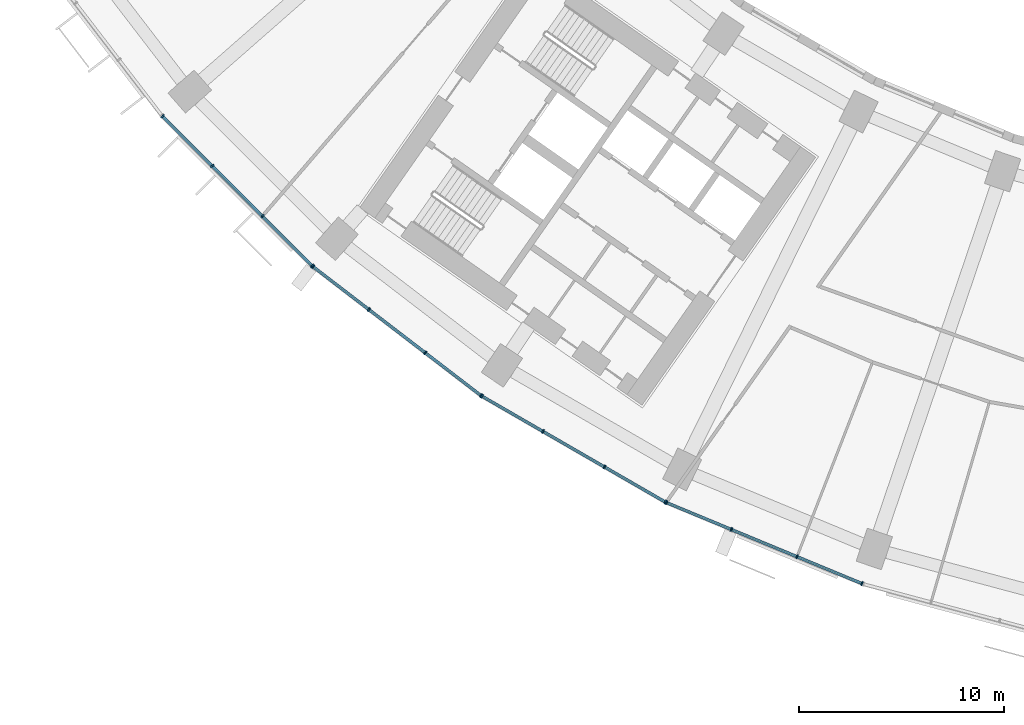
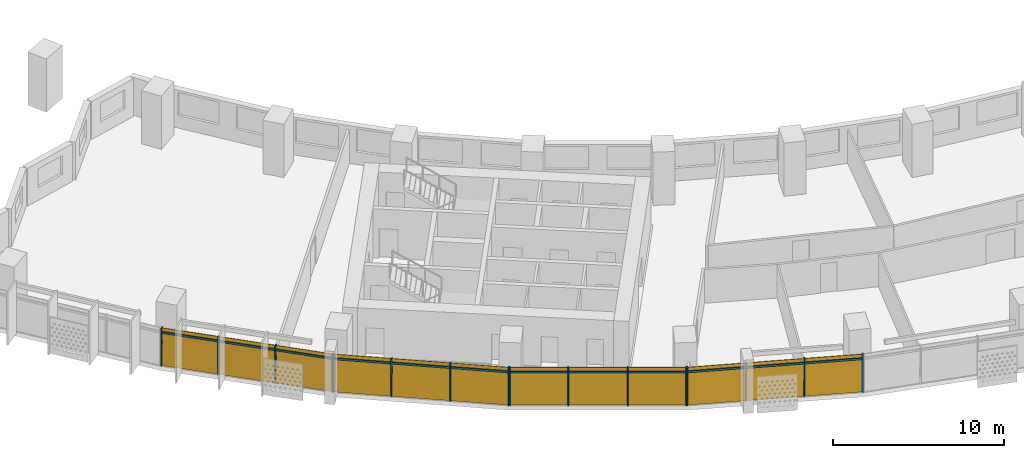
# One storey, part 18 of 31: 28 members, 4 curtain walls.
"""IFC4 building model written with IfcOpenShell, lengths in metres."""

from ifc_helpers import new_model, si_unit, direction, frame, origin, origin_2d, place, context, subcontext, project, spatial, rectangle, extrude, material, material_profile, profile_set, type_object, element, aggregate, save


model = new_model("IFC4")

# Units and contexts
model_context = context("Model", 3, precision=1e-05, world=origin(), true_north=direction((0.0, 1.0)))
body_context = subcontext(model_context, "Body", "Model", "MODEL_VIEW")
ifc_project = project(units=[si_unit("LENGTHUNIT", "METRE"), si_unit("AREAUNIT", "SQUARE_METRE"), si_unit("VOLUMEUNIT", "CUBIC_METRE"), si_unit("PLANEANGLEUNIT", "RADIAN"), si_unit("MASSUNIT", "GRAM", prefix="KILO")], contexts=[model_context])

# Member
ifc_material = material(Name="Aluminium 6063-T6 anodised", Category="aluminium")
ifc_material_profile_1 = material_profile(ifc_material, rectangle(XDim=0.199951171875, YDim=0.070068359375, at=origin_2d()))
ifc_profile_set_1 = profile_set([ifc_material_profile_1], Name="Aluminium 6063-T6 anodised")
member_type_1 = type_object("IfcMemberType", Name="Mullion 70 x 200 aluminium", PredefinedType="MULLION", material=ifc_profile_set_1)
site_placement = place(None, origin())
building_placement = place(site_placement, origin())
storey_placement = place(building_placement, frame((0.0, 0.0, 82.300048828125)))
member_1_placement = place(storey_placement, frame((-59.78857421875, -52.470947265625, 0.0), z_axis=(0.0, 0.0, 1.0), x_axis=(0.707106781187, 0.707106781187, 0.0)))
member_1 = element("IfcMember", 1, at=member_1_placement, type_object=member_type_1, Name="e-cw1-L17-out02/M00", PredefinedType="MULLION", context=body_context, shape_type="SweptSolid", body=[
    extrude(rectangle(XDim=0.199951171875, YDim=0.070068359375, at=origin_2d()), origin(), (0.0, 0.0, 1.0), 2.699951171875),
])

member_2_placement = place(storey_placement, frame((-57.357666015625, -54.90185546875, 0.0), z_axis=(0.0, 0.0, 1.0), x_axis=(0.707106781187, 0.707106781187, 0.0)))
member_2 = element("IfcMember", 2, at=member_2_placement, type_object=member_type_1, Name="e-cw1-L17-out02/M01", PredefinedType="MULLION", context=body_context, shape_type="SweptSolid", body=[
    extrude(rectangle(XDim=0.199951171875, YDim=0.070068359375, at=origin_2d()), origin(), (0.0, 0.0, 1.0), 2.699951171875),
])

member_3_placement = place(storey_placement, frame((-54.90185546875, -57.357666015625, 0.0), z_axis=(0.0, 0.0, 1.0), x_axis=(0.707106781187, 0.707106781187, 0.0)))
member_3 = element("IfcMember", 3, at=member_3_placement, type_object=member_type_1, Name="e-cw1-L17-out02/M02", PredefinedType="MULLION", context=body_context, shape_type="SweptSolid", body=[
    extrude(rectangle(XDim=0.199951171875, YDim=0.070068359375, at=origin_2d()), origin(), (0.0, 0.0, 1.0), 2.699951171875),
])

member_4_placement = place(storey_placement, frame((-52.470947265625, -59.78857421875, 0.0), z_axis=(0.0, 0.0, 1.0), x_axis=(0.707106781187, 0.707106781187, 0.0)))
member_4 = element("IfcMember", 4, at=member_4_placement, type_object=member_type_1, Name="e-cw1-L17-out02/M03", PredefinedType="MULLION", context=body_context, shape_type="SweptSolid", body=[
    extrude(rectangle(XDim=0.199951171875, YDim=0.070068359375, at=origin_2d()), origin(), (0.0, 0.0, 1.0), 2.699951171875),
])

member_5_placement = place(storey_placement, frame((-52.42822265625, -59.825927734375, 0.0), z_axis=(0.0, 0.0, 1.0), x_axis=(0.608761429009, 0.793353340291, 0.0)))
member_5 = element("IfcMember", 5, at=member_5_placement, type_object=member_type_1, Name="e-cw1-L17-out03/M00", PredefinedType="MULLION", context=body_context, shape_type="SweptSolid", body=[
    extrude(rectangle(XDim=0.199951171875, YDim=0.070068359375, at=origin_2d()), origin(), (0.0, 0.0, 1.0), 2.699951171875),
])

member_6_placement = place(storey_placement, frame((-49.70068359375, -61.9189453125, 0.0), z_axis=(0.0, 0.0, 1.0), x_axis=(0.608761429009, 0.793353340291, 0.0)))
member_6 = element("IfcMember", 6, at=member_6_placement, type_object=member_type_1, Name="e-cw1-L17-out03/M01", PredefinedType="MULLION", context=body_context, shape_type="SweptSolid", body=[
    extrude(rectangle(XDim=0.199951171875, YDim=0.070068359375, at=origin_2d()), origin(), (0.0, 0.0, 1.0), 2.699951171875),
])

member_7_placement = place(storey_placement, frame((-46.945556640625, -64.032958984375, 0.0), z_axis=(0.0, 0.0, 1.0), x_axis=(0.608761429009, 0.793353340291, 0.0)))
member_7 = element("IfcMember", 7, at=member_7_placement, type_object=member_type_1, Name="e-cw1-L17-out03/M02", PredefinedType="MULLION", context=body_context, shape_type="SweptSolid", body=[
    extrude(rectangle(XDim=0.199951171875, YDim=0.070068359375, at=origin_2d()), origin(), (0.0, 0.0, 1.0), 2.699951171875),
])

member_8_placement = place(storey_placement, frame((-44.218017578125, -66.1259765625, 0.0), z_axis=(0.0, 0.0, 1.0), x_axis=(0.608761429009, 0.793353340291, 0.0)))
member_8 = element("IfcMember", 8, at=member_8_placement, type_object=member_type_1, Name="e-cw1-L17-out03/M03", PredefinedType="MULLION", context=body_context, shape_type="SweptSolid", body=[
    extrude(rectangle(XDim=0.199951171875, YDim=0.070068359375, at=origin_2d()), origin(), (0.0, 0.0, 1.0), 2.699951171875),
])

member_9_placement = place(storey_placement, frame((-44.1708984375, -66.157470703125, 0.0), z_axis=(0.0, 0.0, 1.0), x_axis=(0.5, 0.866025403784, 0.0)))
member_9 = element("IfcMember", 9, at=member_9_placement, type_object=member_type_1, Name="e-cw1-L17-out04/M00", PredefinedType="MULLION", context=body_context, shape_type="SweptSolid", body=[
    extrude(rectangle(XDim=0.199951171875, YDim=0.070068359375, at=origin_2d()), origin(), (0.0, 0.0, 1.0), 2.699951171875),
])

member_10_placement = place(storey_placement, frame((-41.193603515625, -67.87646484375, 0.0), z_axis=(0.0, 0.0, 1.0), x_axis=(0.5, 0.866025403784, 0.0)))
member_10 = element("IfcMember", 10, at=member_10_placement, type_object=member_type_1, Name="e-cw1-L17-out04/M01", PredefinedType="MULLION", context=body_context, shape_type="SweptSolid", body=[
    extrude(rectangle(XDim=0.199951171875, YDim=0.070068359375, at=origin_2d()), origin(), (0.0, 0.0, 1.0), 2.699951171875),
])

member_11_placement = place(storey_placement, frame((-38.18603515625, -69.61279296875, 0.0), z_axis=(0.0, 0.0, 1.0), x_axis=(0.5, 0.866025403784, 0.0)))
member_11 = element("IfcMember", 11, at=member_11_placement, type_object=member_type_1, Name="e-cw1-L17-out04/M02", PredefinedType="MULLION", context=body_context, shape_type="SweptSolid", body=[
    extrude(rectangle(XDim=0.199951171875, YDim=0.070068359375, at=origin_2d()), origin(), (0.0, 0.0, 1.0), 2.699951171875),
])

member_12_placement = place(storey_placement, frame((-35.20849609375, -71.331787109375, 0.0), z_axis=(0.0, 0.0, 1.0), x_axis=(0.5, 0.866025403784, 0.0)))
member_12 = element("IfcMember", 12, at=member_12_placement, type_object=member_type_1, Name="e-cw1-L17-out04/M03", PredefinedType="MULLION", context=body_context, shape_type="SweptSolid", body=[
    extrude(rectangle(XDim=0.199951171875, YDim=0.070068359375, at=origin_2d()), origin(), (0.0, 0.0, 1.0), 2.699951171875),
])

member_13_placement = place(storey_placement, frame((-35.15771484375, -71.35693359375, 0.0), z_axis=(0.0, 0.0, 1.0), x_axis=(0.382683432365, 0.923879532511, 0.0)))
member_13 = element("IfcMember", 13, at=member_13_placement, type_object=member_type_1, Name="e-cw1-L17-out05/M00", PredefinedType="MULLION", context=body_context, shape_type="SweptSolid", body=[
    extrude(rectangle(XDim=0.199951171875, YDim=0.070068359375, at=origin_2d()), origin(), (0.0, 0.0, 1.0), 2.699951171875),
])

member_14_placement = place(storey_placement, frame((-31.9814453125, -72.672607421875, 0.0), z_axis=(0.0, 0.0, 1.0), x_axis=(0.382683432365, 0.923879532511, 0.0)))
member_14 = element("IfcMember", 14, at=member_14_placement, type_object=member_type_1, Name="e-cw1-L17-out05/M01", PredefinedType="MULLION", context=body_context, shape_type="SweptSolid", body=[
    extrude(rectangle(XDim=0.199951171875, YDim=0.070068359375, at=origin_2d()), origin(), (0.0, 0.0, 1.0), 2.699951171875),
])

member_15_placement = place(storey_placement, frame((-28.77294921875, -74.00146484375, 0.0), z_axis=(0.0, 0.0, 1.0), x_axis=(0.382683432365, 0.923879532511, 0.0)))
member_15 = element("IfcMember", 15, at=member_15_placement, type_object=member_type_1, Name="e-cw1-L17-out05/M02", PredefinedType="MULLION", context=body_context, shape_type="SweptSolid", body=[
    extrude(rectangle(XDim=0.199951171875, YDim=0.070068359375, at=origin_2d()), origin(), (0.0, 0.0, 1.0), 2.699951171875),
])

member_16_placement = place(storey_placement, frame((-25.5966796875, -75.317138671875, 0.0), z_axis=(0.0, 0.0, 1.0), x_axis=(0.382683432365, 0.923879532511, 0.0)))
member_16 = element("IfcMember", 16, at=member_16_placement, type_object=member_type_1, Name="e-cw1-L17-out05/M03", PredefinedType="MULLION", context=body_context, shape_type="SweptSolid", body=[
    extrude(rectangle(XDim=0.199951171875, YDim=0.070068359375, at=origin_2d()), origin(), (0.0, 0.0, 1.0), 2.699951171875),
])

ifc_material_profile_2 = material_profile(ifc_material, rectangle(XDim=0.139892578125, YDim=0.1201171875, at=origin_2d()))
ifc_profile_set_2 = profile_set([ifc_material_profile_2], Name="Aluminium 6063-T6 anodised")
member_type_2 = type_object("IfcMemberType", Name="Transom 120 x 140 aluminium", PredefinedType="USERDEFINED", material=ifc_profile_set_2)
member_17_placement = place(storey_placement, frame((-59.763916015625, -52.49560546875, 2.39990234375), z_axis=(0.707106781187, -0.707106781187, 0.0), x_axis=(0.707106781187, 0.707106781187, 0.0)))
member_17 = element("IfcMember", 17, at=member_17_placement, type_object=member_type_2, Name="e-cw1-L17-out02/T00", ObjectType="TRANSOM", PredefinedType="USERDEFINED", context=body_context, shape_type="SweptSolid", body=[
    extrude(rectangle(XDim=0.139892578125, YDim=0.1201171875, at=origin_2d()), origin(), (0.0, 0.0, 1.0), 3.3681640625),
])

member_18_placement = place(storey_placement, frame((-57.332763671875, -54.9267578125, 2.39990234375), z_axis=(0.707106781187, -0.707106781187, 0.0), x_axis=(0.707106781187, 0.707106781187, 0.0)))
member_18 = element("IfcMember", 18, at=member_18_placement, type_object=member_type_2, Name="e-cw1-L17-out02/T01", ObjectType="TRANSOM", PredefinedType="USERDEFINED", context=body_context, shape_type="SweptSolid", body=[
    extrude(rectangle(XDim=0.139892578125, YDim=0.1201171875, at=origin_2d()), origin(), (0.0, 0.0, 1.0), 3.402587890625),
])

member_19_placement = place(storey_placement, frame((-54.877197265625, -57.38232421875, 2.39990234375), z_axis=(0.707106781187, -0.707106781187, 0.0), x_axis=(0.707106781187, 0.707106781187, 0.0)))
member_19 = element("IfcMember", 19, at=member_19_placement, type_object=member_type_2, Name="e-cw1-L17-out02/T02", ObjectType="TRANSOM", PredefinedType="USERDEFINED", context=body_context, shape_type="SweptSolid", body=[
    extrude(rectangle(XDim=0.139892578125, YDim=0.1201171875, at=origin_2d()), origin(), (0.0, 0.0, 1.0), 3.3681640625),
])

member_20_placement = place(storey_placement, frame((-52.400390625, -59.847412109375, 2.39990234375), z_axis=(0.793375276742, -0.608732839803, 0.0), x_axis=(0.608732839803, 0.793375276742, 0.0)))
member_20 = element("IfcMember", 20, at=member_20_placement, type_object=member_type_2, Name="e-cw1-L17-out03/T00", ObjectType="TRANSOM", PredefinedType="USERDEFINED", context=body_context, shape_type="SweptSolid", body=[
    extrude(rectangle(XDim=0.139892578125, YDim=0.1201171875, at=origin_2d()), origin(), (0.0, 0.0, 1.0), 3.36767578125),
])

member_21_placement = place(storey_placement, frame((-49.673095703125, -61.940185546875, 2.39990234375), z_axis=(0.793356868815, -0.60875683052, 0.0), x_axis=(0.60875683052, 0.793356868815, 0.0)))
member_21 = element("IfcMember", 21, at=member_21_placement, type_object=member_type_2, Name="e-cw1-L17-out03/T01", ObjectType="TRANSOM", PredefinedType="USERDEFINED", context=body_context, shape_type="SweptSolid", body=[
    extrude(rectangle(XDim=0.139892578125, YDim=0.1201171875, at=origin_2d()), origin(), (0.0, 0.0, 1.0), 3.40283203125),
])

member_22_placement = place(storey_placement, frame((-46.917724609375, -64.054443359375, 2.39990234375), z_axis=(0.793375276742, -0.608732839803, 0.0), x_axis=(0.608732839803, 0.793375276742, 0.0)))
member_22 = element("IfcMember", 22, at=member_22_placement, type_object=member_type_2, Name="e-cw1-L17-out03/T02", ObjectType="TRANSOM", PredefinedType="USERDEFINED", context=body_context, shape_type="SweptSolid", body=[
    extrude(rectangle(XDim=0.139892578125, YDim=0.1201171875, at=origin_2d()), origin(), (0.0, 0.0, 1.0), 3.36767578125),
])

member_23_placement = place(storey_placement, frame((-44.140625, -66.175048828125, 2.39990234375), z_axis=(0.866044351828, -0.49996717959, 0.0), x_axis=(0.49996717959, 0.866044351828, 0.0)))
member_23 = element("IfcMember", 23, at=member_23_placement, type_object=member_type_2, Name="e-cw1-L17-out04/T00", ObjectType="TRANSOM", PredefinedType="USERDEFINED", context=body_context, shape_type="SweptSolid", body=[
    extrude(rectangle(XDim=0.139892578125, YDim=0.1201171875, at=origin_2d()), origin(), (0.0, 0.0, 1.0), 3.367919921875),
])

member_24_placement = place(storey_placement, frame((-41.163330078125, -67.893798828125, 2.39990234375), z_axis=(0.866000398227, -0.500043308395, 0.0), x_axis=(0.500043308395, 0.866000398227, 0.0)))
member_24 = element("IfcMember", 24, at=member_24_placement, type_object=member_type_2, Name="e-cw1-L17-out04/T01", ObjectType="TRANSOM", PredefinedType="USERDEFINED", context=body_context, shape_type="SweptSolid", body=[
    extrude(rectangle(XDim=0.139892578125, YDim=0.1201171875, at=origin_2d()), origin(), (0.0, 0.0, 1.0), 3.403076171875),
])

member_25_placement = place(storey_placement, frame((-38.155517578125, -69.63037109375, 2.39990234375), z_axis=(0.866026229868, -0.499998569178, 0.0), x_axis=(0.499998569178, 0.866026229868, 0.0)))
member_25 = element("IfcMember", 25, at=member_25_placement, type_object=member_type_2, Name="e-cw1-L17-out04/T02", ObjectType="TRANSOM", PredefinedType="USERDEFINED", context=body_context, shape_type="SweptSolid", body=[
    extrude(rectangle(XDim=0.139892578125, YDim=0.1201171875, at=origin_2d()), origin(), (0.0, 0.0, 1.0), 3.36767578125),
])

member_26_placement = place(storey_placement, frame((-35.125244140625, -71.370361328125, 2.39990234375), z_axis=(0.923872807855, -0.382699666719, 0.0), x_axis=(0.382699666719, 0.923872807855, 0.0)))
member_26 = element("IfcMember", 26, at=member_26_placement, type_object=member_type_2, Name="e-cw1-L17-out05/T00", ObjectType="TRANSOM", PredefinedType="USERDEFINED", context=body_context, shape_type="SweptSolid", body=[
    extrude(rectangle(XDim=0.139892578125, YDim=0.1201171875, at=origin_2d()), origin(), (0.0, 0.0, 1.0), 3.36767578125),
])

member_27_placement = place(storey_placement, frame((-31.94921875, -72.68603515625, 2.39990234375), z_axis=(0.92388567708, -0.382668597728, 0.0), x_axis=(0.382668597728, 0.92388567708, 0.0)))
member_27 = element("IfcMember", 27, at=member_27_placement, type_object=member_type_2, Name="e-cw1-L17-out05/T01", ObjectType="TRANSOM", PredefinedType="USERDEFINED", context=body_context, shape_type="SweptSolid", body=[
    extrude(rectangle(XDim=0.139892578125, YDim=0.1201171875, at=origin_2d()), origin(), (0.0, 0.0, 1.0), 3.403076171875),
])

member_28_placement = place(storey_placement, frame((-28.740478515625, -74.014892578125, 2.39990234375), z_axis=(0.923872807855, -0.382699666719, 0.0), x_axis=(0.382699666719, 0.923872807855, 0.0)))
member_28 = element("IfcMember", 28, at=member_28_placement, type_object=member_type_2, Name="e-cw1-L17-out05/T02", ObjectType="TRANSOM", PredefinedType="USERDEFINED", context=body_context, shape_type="SweptSolid", body=[
    extrude(rectangle(XDim=0.139892578125, YDim=0.1201171875, at=origin_2d()), origin(), (0.0, 0.0, 1.0), 3.36767578125),
])

# Site, building, storey
site = spatial("IfcSite", under=ifc_project, at=site_placement, CompositionType="ELEMENT")
building = spatial("IfcBuilding", under=site, at=building_placement, Name="Qamariyya Broadcast Tower", CompositionType="ELEMENT")
storey = spatial("IfcBuildingStorey", under=building, at=storey_placement, Name="L17", CompositionType="ELEMENT", Elevation=82.300048828125)

# Curtain wall
curtain_wall_type = type_object("IfcCurtainWallType", Name="Unitised curtain wall, anodised aluminium", PredefinedType="NOTDEFINED", material=ifc_material)
curtain_wall_1_placement = place(storey_placement, origin())
curtain_wall_1 = element("IfcCurtainWall", 29, at=curtain_wall_1_placement, inside=storey, type_object=curtain_wall_type, Name="e-cw1-L17-out02", PredefinedType="NOTDEFINED", context=body_context, shape_type="SweptSolid", body=[
    extrude(rectangle(XDim=3.367919921875, YDim=0.031982421875, at=origin_2d()), frame((-58.572998046875, -53.6865234375, 0.0), x_axis=(0.707106781187, -0.707106781187, 0.0)), (0.0, 0.0, 1.0), 2.340087890625),
    extrude(rectangle(XDim=3.367919921875, YDim=0.031982421875, at=origin_2d()), frame((-58.572998046875, -53.6865234375, 2.4599609375), x_axis=(0.707106781187, -0.707106781187, 0.0)), (0.0, 0.0, 1.0), 0.239990234375),
    extrude(rectangle(XDim=3.40283203125, YDim=0.031982421875, at=origin_2d()), frame((-56.1298828125, -56.1298828125, 0.0), x_axis=(0.707106781187, -0.707106781187, 0.0)), (0.0, 0.0, 1.0), 2.340087890625),
    extrude(rectangle(XDim=3.40283203125, YDim=0.031982421875, at=origin_2d()), frame((-56.1298828125, -56.1298828125, 2.4599609375), x_axis=(0.707106781187, -0.707106781187, 0.0)), (0.0, 0.0, 1.0), 0.239990234375),
    extrude(rectangle(XDim=3.367919921875, YDim=0.031982421875, at=origin_2d()), frame((-53.6865234375, -58.572998046875, 0.0), x_axis=(0.707106781187, -0.707106781187, 0.0)), (0.0, 0.0, 1.0), 2.340087890625),
    extrude(rectangle(XDim=3.367919921875, YDim=0.031982421875, at=origin_2d()), frame((-53.6865234375, -58.572998046875, 2.4599609375), x_axis=(0.707106781187, -0.707106781187, 0.0)), (0.0, 0.0, 1.0), 0.239990234375),
])

aggregate(curtain_wall_1, [member_1, member_2, member_3, member_4, member_17, member_18, member_19])

curtain_wall_2_placement = place(storey_placement, origin())
curtain_wall_2 = element("IfcCurtainWall", 30, at=curtain_wall_2_placement, inside=storey, type_object=curtain_wall_type, Name="e-cw1-L17-out03", PredefinedType="NOTDEFINED", context=body_context, shape_type="SweptSolid", body=[
    extrude(rectangle(XDim=3.367919921875, YDim=0.031982421875, at=origin_2d()), frame((-51.064453125, -60.872314453125, 0.0), x_axis=(0.79335775203, -0.608755679475, 0.0)), (0.0, 0.0, 1.0), 2.340087890625),
    extrude(rectangle(XDim=3.367919921875, YDim=0.031982421875, at=origin_2d()), frame((-51.064453125, -60.872314453125, 2.4599609375), x_axis=(0.79335775203, -0.608755679475, 0.0)), (0.0, 0.0, 1.0), 0.239990234375),
    extrude(rectangle(XDim=3.40283203125, YDim=0.031982421875, at=origin_2d()), frame((-48.3232421875, -62.97607421875, 0.0), x_axis=(0.79335775203, -0.608755679475, 0.0)), (0.0, 0.0, 1.0), 2.340087890625),
    extrude(rectangle(XDim=3.40283203125, YDim=0.031982421875, at=origin_2d()), frame((-48.3232421875, -62.97607421875, 2.4599609375), x_axis=(0.79335775203, -0.608755679475, 0.0)), (0.0, 0.0, 1.0), 0.239990234375),
    extrude(rectangle(XDim=3.367919921875, YDim=0.031982421875, at=origin_2d()), frame((-45.581787109375, -65.07958984375, 0.0), x_axis=(0.79335775203, -0.608755679475, 0.0)), (0.0, 0.0, 1.0), 2.340087890625),
    extrude(rectangle(XDim=3.367919921875, YDim=0.031982421875, at=origin_2d()), frame((-45.581787109375, -65.07958984375, 2.4599609375), x_axis=(0.79335775203, -0.608755679475, 0.0)), (0.0, 0.0, 1.0), 0.239990234375),
])

aggregate(curtain_wall_2, [member_5, member_6, member_7, member_8, member_20, member_21, member_22])

curtain_wall_3_placement = place(storey_placement, origin())
curtain_wall_3 = element("IfcCurtainWall", 31, at=curtain_wall_3_placement, inside=storey, type_object=curtain_wall_type, Name="e-cw1-L17-out04", PredefinedType="NOTDEFINED", context=body_context, shape_type="SweptSolid", body=[
    extrude(rectangle(XDim=3.367919921875, YDim=0.031982421875, at=origin_2d()), frame((-42.68212890625, -67.016845703125, 0.0), x_axis=(0.86602247392, -0.500005074639, 0.0)), (0.0, 0.0, 1.0), 2.340087890625),
    extrude(rectangle(XDim=3.367919921875, YDim=0.031982421875, at=origin_2d()), frame((-42.68212890625, -67.016845703125, 2.4599609375), x_axis=(0.86602247392, -0.500005074639, 0.0)), (0.0, 0.0, 1.0), 0.239990234375),
    extrude(rectangle(XDim=3.40283203125, YDim=0.031982421875, at=origin_2d()), frame((-39.689697265625, -68.74462890625, 0.0), x_axis=(0.86602247392, -0.500005074639, 0.0)), (0.0, 0.0, 1.0), 2.340087890625),
    extrude(rectangle(XDim=3.40283203125, YDim=0.031982421875, at=origin_2d()), frame((-39.689697265625, -68.74462890625, 2.4599609375), x_axis=(0.86602247392, -0.500005074639, 0.0)), (0.0, 0.0, 1.0), 0.239990234375),
    extrude(rectangle(XDim=3.367919921875, YDim=0.031982421875, at=origin_2d()), frame((-36.697265625, -70.472412109375, 0.0), x_axis=(0.86602247392, -0.500005074639, 0.0)), (0.0, 0.0, 1.0), 2.340087890625),
    extrude(rectangle(XDim=3.367919921875, YDim=0.031982421875, at=origin_2d()), frame((-36.697265625, -70.472412109375, 2.4599609375), x_axis=(0.86602247392, -0.500005074639, 0.0)), (0.0, 0.0, 1.0), 0.239990234375),
])

aggregate(curtain_wall_3, [member_9, member_10, member_11, member_12, member_23, member_24, member_25])

curtain_wall_4_placement = place(storey_placement, origin())
curtain_wall_4 = element("IfcCurtainWall", 32, at=curtain_wall_4_placement, inside=storey, type_object=curtain_wall_type, Name="e-cw1-L17-out05", PredefinedType="NOTDEFINED", context=body_context, shape_type="SweptSolid", body=[
    extrude(rectangle(XDim=3.367919921875, YDim=0.031982421875, at=origin_2d()), frame((-33.569580078125, -72.0146484375, 0.0), x_axis=(0.92387774222, -0.382687754482, 0.0)), (0.0, 0.0, 1.0), 2.340087890625),
    extrude(rectangle(XDim=3.367919921875, YDim=0.031982421875, at=origin_2d()), frame((-33.569580078125, -72.0146484375, 2.4599609375), x_axis=(0.92387774222, -0.382687754482, 0.0)), (0.0, 0.0, 1.0), 0.239990234375),
    extrude(rectangle(XDim=3.40283203125, YDim=0.031982421875, at=origin_2d()), frame((-30.377197265625, -73.3369140625, 0.0), x_axis=(0.92387774222, -0.382687754482, 0.0)), (0.0, 0.0, 1.0), 2.340087890625),
    extrude(rectangle(XDim=3.40283203125, YDim=0.031982421875, at=origin_2d()), frame((-30.377197265625, -73.3369140625, 2.4599609375), x_axis=(0.92387774222, -0.382687754482, 0.0)), (0.0, 0.0, 1.0), 0.239990234375),
    extrude(rectangle(XDim=3.367919921875, YDim=0.031982421875, at=origin_2d()), frame((-27.184814453125, -74.659423828125, 0.0), x_axis=(0.92387774222, -0.382687754482, 0.0)), (0.0, 0.0, 1.0), 2.340087890625),
    extrude(rectangle(XDim=3.367919921875, YDim=0.031982421875, at=origin_2d()), frame((-27.184814453125, -74.659423828125, 2.4599609375), x_axis=(0.92387774222, -0.382687754482, 0.0)), (0.0, 0.0, 1.0), 0.239990234375),
])

aggregate(curtain_wall_4, [member_13, member_14, member_15, member_16, member_26, member_27, member_28])

save(model, "model.ifc")
